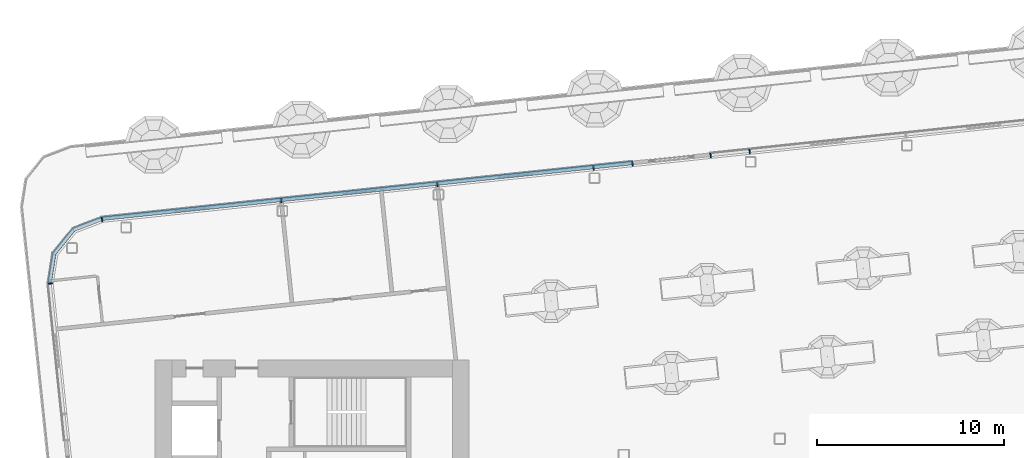
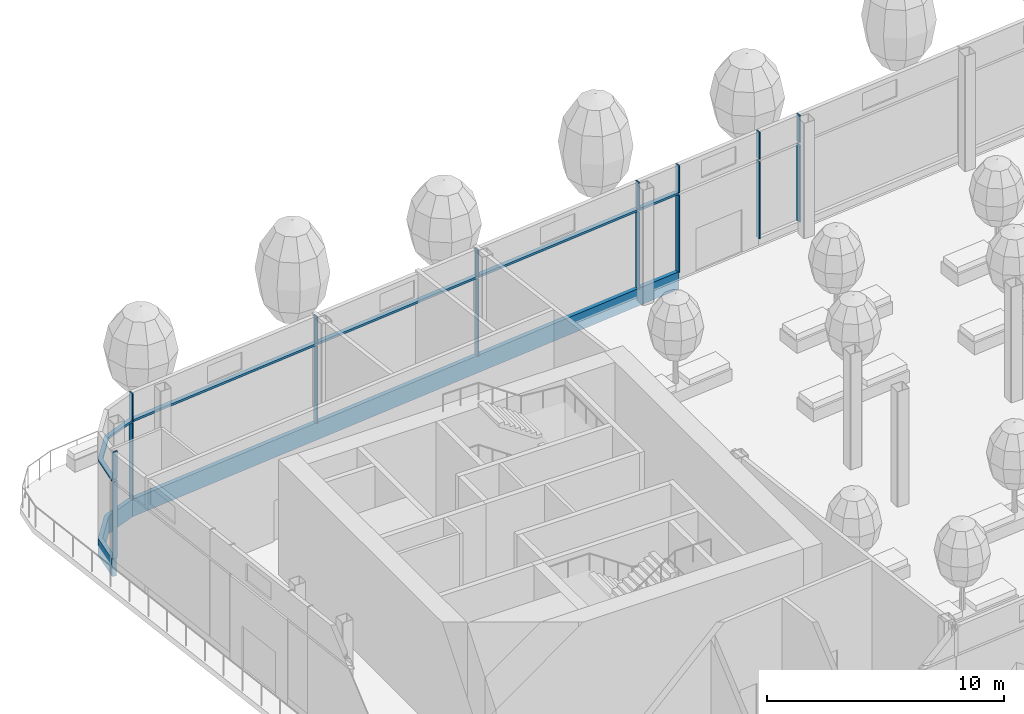
# One storey, part 7 of 42: 20 members, 3 elements without a shape of their own.
"""IFC4 building model written with IfcOpenShell, lengths in metres."""

from ifc_helpers import new_model, si_unit, direction, frame, origin, origin_2d, place, context, subcontext, project, spatial, polyline, rectangle, outline, extrude, material, layer, layer_set, material_profile, profile_set, type_object, element, aggregate, save


model = new_model("IFC4")

# Units and contexts
model_context = context("Model", 3, precision=1e-05, world=origin(), true_north=direction((0.0, 1.0)))
body_context = subcontext(model_context, "Body", "Model", "MODEL_VIEW")
ifc_project = project(units=[si_unit("LENGTHUNIT", "METRE"), si_unit("AREAUNIT", "SQUARE_METRE"), si_unit("VOLUMEUNIT", "CUBIC_METRE"), si_unit("PLANEANGLEUNIT", "RADIAN"), si_unit("MASSUNIT", "GRAM", prefix="KILO")], contexts=[model_context])

# Site, building, storey
site_placement = place(None, origin())
site = spatial("IfcSite", under=ifc_project, at=site_placement, CompositionType="ELEMENT")
building_placement = place(site_placement, origin())
building = spatial("IfcBuilding", under=site, at=building_placement, Name="Hakoniwa Tower and Hamabe Station Hall", CompositionType="ELEMENT")
storey_placement = place(building_placement, frame((0.0, 0.0, 232.60009765625)))
storey = spatial("IfcBuildingStorey", under=building, at=storey_placement, Name="L66", CompositionType="ELEMENT", Elevation=232.60009765625)

# Curtain wall, member
ifc_material_1 = material(Name="Dark low-e laminated glass", Category="glass")
ifc_layer = layer(ifc_material_1, 0.199951171875)
ifc_layer_set = layer_set([ifc_layer], Name="CW-2 SKY GARDEN")
curtain_wall_type = type_object("IfcCurtainWallType", Name="CW-2 SKY GARDEN", PredefinedType="NOTDEFINED", material=ifc_layer_set)
curtain_wall_1_placement = place(storey_placement, origin())
curtain_wall_1 = element("IfcCurtainWall", 1, at=curtain_wall_1_placement, inside=storey, type_object=curtain_wall_type, Name="CW-2 curtain wall", PredefinedType="NOTDEFINED")
ifc_material_2 = material(Name="Aluminium 6063-T5 black anodised", Category="aluminium")
ifc_material_profile_1 = material_profile(ifc_material_2, rectangle(XDim=0.199951171875, YDim=0.1201171875, at=origin_2d()), Name="CW MID TRANSOM 120X200")
ifc_profile_set_1 = profile_set([ifc_material_profile_1], Name="Aluminium 6063-T5 black anodised")
member_type_1 = type_object("IfcMemberType", Name="CW MID TRANSOM 120X200", PredefinedType="USERDEFINED", material=ifc_profile_set_1)
member_1_placement = place(storey_placement, frame((-8.033447265625, 18.950439453125, 4.389892578125), z_axis=(-0.994521922819, -0.104528202096, 0.0), x_axis=(0.104528202096, -0.994521922819, 0.0)))
member_1 = element("IfcMember", 2, at=member_1_placement, type_object=member_type_1, Name="CW-2 transom", ObjectType="TRANSOM", PredefinedType="USERDEFINED", context=body_context, shape_type="SweptSolid", body=[
    extrude(rectangle(XDim=0.199951171875, YDim=0.1201171875, at=origin_2d()), origin(), (0.0, 0.0, 1.0), 28.569580078125),
])

curtain_wall_2_placement = place(storey_placement, origin())
curtain_wall_2 = element("IfcCurtainWall", 3, at=curtain_wall_2_placement, inside=storey, type_object=curtain_wall_type, Name="CW-2 curtain wall", PredefinedType="NOTDEFINED")
member_2_placement = place(storey_placement, frame((0.0, 0.0, 4.329833984375)))
member_2 = element("IfcMember", 4, at=member_2_placement, type_object=member_type_1, Name="CW-2 transom", ObjectType="TRANSOM", PredefinedType="USERDEFINED", context=body_context, shape_type="SweptSolid", body=[
    extrude(outline(polyline([(-36.45703125, 16.0634765625), (-38.0185546875, 15.464111328125), (-39.09716796875, 14.13232421875), (-39.35888671875, 12.47998046875), (-39.161376953125, 12.44873046875), (-38.907958984375, 14.048095703125), (-37.89697265625, 15.296630859375), (-36.38525390625, 15.876708984375), (-36.45703125, 16.0634765625)])), origin(), (0.0, 0.0, 1.0), 0.1201171875),
])

# Member
ifc_material_3 = material(Name="Aluminium 6063-T5 black anodised", Category="aluminium")
ifc_material_profile_2 = material_profile(ifc_material_3, rectangle(XDim=0.199951171875, YDim=0.89990234375, at=origin_2d()), Name="CW SLAB-EDGE BAND 900X200")
ifc_profile_set_2 = profile_set([ifc_material_profile_2], Name="Aluminium 6063-T5 black anodised")
member_type_2 = type_object("IfcMemberType", Name="CW SLAB-EDGE BAND 900X200", PredefinedType="USERDEFINED", material=ifc_profile_set_2)
member_3_placement = place(storey_placement, frame((-8.033447265625, 18.950439453125, -0.10009765625), z_axis=(-0.994521922819, -0.104528202096, 0.0), x_axis=(0.104528202096, -0.994521922819, 0.0)))
member_3 = element("IfcMember", 5, at=member_3_placement, type_object=member_type_2, Name="CW-2 transom", ObjectType="TRANSOM", PredefinedType="USERDEFINED", context=body_context, shape_type="SweptSolid", body=[
    extrude(rectangle(XDim=0.199951171875, YDim=0.89990234375, at=origin_2d()), origin(), (0.0, 0.0, 1.0), 28.569580078125),
])

member_4_placement = place(storey_placement, frame((0.0, 0.0, -0.550048828125)))
member_4 = element("IfcMember", 6, at=member_4_placement, type_object=member_type_2, Name="CW-2 transom", ObjectType="TRANSOM", PredefinedType="USERDEFINED", context=body_context, shape_type="SweptSolid", body=[
    extrude(outline(polyline([(-36.45703125, 16.0634765625), (-38.0185546875, 15.464111328125), (-39.09716796875, 14.13232421875), (-39.35888671875, 12.47998046875), (-39.161376953125, 12.44873046875), (-38.907958984375, 14.048095703125), (-37.89697265625, 15.296630859375), (-36.38525390625, 15.876708984375), (-36.45703125, 16.0634765625)])), origin(), (0.0, 0.0, 1.0), 0.89990234375),
])

aggregate(curtain_wall_2, [member_4, member_2])

ifc_material_4 = material(Name="Aluminium 6063-T5 black anodised", Category="aluminium")
ifc_material_profile_3 = material_profile(ifc_material_4, rectangle(XDim=0.06005859375, YDim=0.239990234375, at=origin_2d()), Name="CW-2 MULLION 60X240")
ifc_profile_set_3 = profile_set([ifc_material_profile_3], Name="Aluminium 6063-T5 black anodised")
member_type_3 = type_object("IfcMemberType", Name="CW-2 MULLION 60X240", PredefinedType="MULLION", material=ifc_profile_set_3)
member_5_placement = place(storey_placement, frame((-1.79296875, 19.55810546875, 0.349853515625), z_axis=(0.0, 0.0, 1.0), x_axis=(-0.994521895272, -0.104528464188, 0.0)))
member_5 = element("IfcMember", 7, at=member_5_placement, type_object=member_type_3, Name="CW-2 mullion", PredefinedType="MULLION", context=body_context, shape_type="SweptSolid", body=[
    extrude(rectangle(XDim=0.06005859375, YDim=0.239990234375, at=origin_2d()), origin(), (0.0, 0.0, 1.0), 3.97998046875),
])

member_6_placement = place(storey_placement, frame((-1.79296875, 19.55810546875, 4.449951171875), z_axis=(0.0, 0.0, 1.0), x_axis=(-0.994521895272, -0.104528464188, 0.0)))
member_6 = element("IfcMember", 8, at=member_6_placement, type_object=member_type_3, Name="CW-2 mullion", PredefinedType="MULLION", context=body_context, shape_type="SweptSolid", body=[
    extrude(rectangle(XDim=0.06005859375, YDim=0.239990234375, at=origin_2d()), origin(), (0.0, 0.0, 1.0), 1.39990234375),
])

member_7_placement = place(storey_placement, frame((-3.88134765625, 19.338623046875, 0.349853515625), z_axis=(0.0, 0.0, 1.0), x_axis=(-0.994521895272, -0.104528464188, 0.0)))
member_7 = element("IfcMember", 9, at=member_7_placement, type_object=member_type_3, Name="CW-2 mullion", PredefinedType="MULLION", context=body_context, shape_type="SweptSolid", body=[
    extrude(rectangle(XDim=0.06005859375, YDim=0.239990234375, at=origin_2d()), origin(), (0.0, 0.0, 1.0), 3.97998046875),
])

member_8_placement = place(storey_placement, frame((-3.88134765625, 19.338623046875, 4.449951171875), z_axis=(0.0, 0.0, 1.0), x_axis=(-0.994521895272, -0.104528464188, 0.0)))
member_8 = element("IfcMember", 10, at=member_8_placement, type_object=member_type_3, Name="CW-2 mullion", PredefinedType="MULLION", context=body_context, shape_type="SweptSolid", body=[
    extrude(rectangle(XDim=0.06005859375, YDim=0.239990234375, at=origin_2d()), origin(), (0.0, 0.0, 1.0), 1.39990234375),
])

member_9_placement = place(storey_placement, frame((-8.058349609375, 18.8994140625, 0.349853515625), z_axis=(0.0, 0.0, 1.0), x_axis=(-0.994521895272, -0.104528464188, 0.0)))
member_9 = element("IfcMember", 11, at=member_9_placement, type_object=member_type_3, Name="CW-2 mullion", PredefinedType="MULLION", context=body_context, shape_type="SweptSolid", body=[
    extrude(rectangle(XDim=0.06005859375, YDim=0.239990234375, at=origin_2d()), origin(), (0.0, 0.0, 1.0), 3.97998046875),
])

member_10_placement = place(storey_placement, frame((-8.058349609375, 18.8994140625, 4.449951171875), z_axis=(0.0, 0.0, 1.0), x_axis=(-0.994521895272, -0.104528464188, 0.0)))
member_10 = element("IfcMember", 12, at=member_10_placement, type_object=member_type_3, Name="CW-2 mullion", PredefinedType="MULLION", context=body_context, shape_type="SweptSolid", body=[
    extrude(rectangle(XDim=0.06005859375, YDim=0.239990234375, at=origin_2d()), origin(), (0.0, 0.0, 1.0), 1.39990234375),
])

member_11_placement = place(storey_placement, frame((-10.14697265625, 18.679931640625, 0.349853515625), z_axis=(0.0, 0.0, 1.0), x_axis=(-0.994521895272, -0.104528464188, 0.0)))
member_11 = element("IfcMember", 13, at=member_11_placement, type_object=member_type_3, Name="CW-2 mullion", PredefinedType="MULLION", context=body_context, shape_type="SweptSolid", body=[
    extrude(rectangle(XDim=0.06005859375, YDim=0.239990234375, at=origin_2d()), origin(), (0.0, 0.0, 1.0), 3.97998046875),
])

member_12_placement = place(storey_placement, frame((-10.14697265625, 18.679931640625, 4.449951171875), z_axis=(0.0, 0.0, 1.0), x_axis=(-0.994521895272, -0.104528464188, 0.0)))
member_12 = element("IfcMember", 14, at=member_12_placement, type_object=member_type_3, Name="CW-2 mullion", PredefinedType="MULLION", context=body_context, shape_type="SweptSolid", body=[
    extrude(rectangle(XDim=0.06005859375, YDim=0.239990234375, at=origin_2d()), origin(), (0.0, 0.0, 1.0), 1.39990234375),
])

member_13_placement = place(storey_placement, frame((-18.500732421875, 17.802001953125, 0.349853515625), z_axis=(0.0, 0.0, 1.0), x_axis=(-0.994521895272, -0.104528464188, 0.0)))
member_13 = element("IfcMember", 15, at=member_13_placement, type_object=member_type_3, Name="CW-2 mullion", PredefinedType="MULLION", context=body_context, shape_type="SweptSolid", body=[
    extrude(rectangle(XDim=0.06005859375, YDim=0.239990234375, at=origin_2d()), origin(), (0.0, 0.0, 1.0), 3.97998046875),
])

member_14_placement = place(storey_placement, frame((-18.500732421875, 17.802001953125, 4.449951171875), z_axis=(0.0, 0.0, 1.0), x_axis=(-0.994521895272, -0.104528464188, 0.0)))
member_14 = element("IfcMember", 16, at=member_14_placement, type_object=member_type_3, Name="CW-2 mullion", PredefinedType="MULLION", context=body_context, shape_type="SweptSolid", body=[
    extrude(rectangle(XDim=0.06005859375, YDim=0.239990234375, at=origin_2d()), origin(), (0.0, 0.0, 1.0), 1.39990234375),
])

member_15_placement = place(storey_placement, frame((-26.854736328125, 16.923828125, 0.349853515625), z_axis=(0.0, 0.0, 1.0), x_axis=(-0.994521895272, -0.104528464188, 0.0)))
member_15 = element("IfcMember", 17, at=member_15_placement, type_object=member_type_3, Name="CW-2 mullion", PredefinedType="MULLION", context=body_context, shape_type="SweptSolid", body=[
    extrude(rectangle(XDim=0.06005859375, YDim=0.239990234375, at=origin_2d()), origin(), (0.0, 0.0, 1.0), 3.97998046875),
])

member_16_placement = place(storey_placement, frame((-26.854736328125, 16.923828125, 4.449951171875), z_axis=(0.0, 0.0, 1.0), x_axis=(-0.994521895272, -0.104528464188, 0.0)))
member_16 = element("IfcMember", 18, at=member_16_placement, type_object=member_type_3, Name="CW-2 mullion", PredefinedType="MULLION", context=body_context, shape_type="SweptSolid", body=[
    extrude(rectangle(XDim=0.06005859375, YDim=0.239990234375, at=origin_2d()), origin(), (0.0, 0.0, 1.0), 1.39990234375),
])

member_17_placement = place(storey_placement, frame((-36.44140625, 15.916259765625, 0.349853515625), z_axis=(0.0, 0.0, 1.0), x_axis=(-0.994521895272, -0.104528464188, 0.0)))
member_17 = element("IfcMember", 19, at=member_17_placement, type_object=member_type_3, Name="CW-2 mullion", PredefinedType="MULLION", context=body_context, shape_type="SweptSolid", body=[
    extrude(rectangle(XDim=0.06005859375, YDim=0.239990234375, at=origin_2d()), origin(), (0.0, 0.0, 1.0), 3.97998046875),
])

member_18_placement = place(storey_placement, frame((-36.44140625, 15.916259765625, 4.449951171875), z_axis=(0.0, 0.0, 1.0), x_axis=(-0.994521895272, -0.104528464188, 0.0)))
member_18 = element("IfcMember", 20, at=member_18_placement, type_object=member_type_3, Name="CW-2 mullion", PredefinedType="MULLION", context=body_context, shape_type="SweptSolid", body=[
    extrude(rectangle(XDim=0.06005859375, YDim=0.239990234375, at=origin_2d()), origin(), (0.0, 0.0, 1.0), 1.39990234375),
])

aggregate(curtain_wall_1, [member_5, member_6, member_7, member_8, member_9, member_10, member_11, member_12, member_13, member_14, member_15, member_16, member_17, member_18, member_3, member_1])

# Curtain wall, members
curtain_wall_3_placement = place(storey_placement, origin())
curtain_wall_3 = element("IfcCurtainWall", 21, at=curtain_wall_3_placement, inside=storey, type_object=curtain_wall_type, Name="CW-2 curtain wall", PredefinedType="NOTDEFINED")
member_19_placement = place(storey_placement, frame((-39.211669921875, 12.49560546875, 0.349853515625), z_axis=(0.0, 0.0, 1.0), x_axis=(0.104528468631, -0.994521894805, 0.0)))
member_19 = element("IfcMember", 22, at=member_19_placement, type_object=member_type_3, Name="CW-2 mullion", PredefinedType="MULLION", context=body_context, shape_type="SweptSolid", body=[
    extrude(rectangle(XDim=0.06005859375, YDim=0.239990234375, at=origin_2d()), origin(), (0.0, 0.0, 1.0), 3.97998046875),
])
member_20_placement = place(storey_placement, frame((-39.211669921875, 12.49560546875, 4.449951171875), z_axis=(0.0, 0.0, 1.0), x_axis=(0.104528468631, -0.994521894805, 0.0)))
member_20 = element("IfcMember", 23, at=member_20_placement, type_object=member_type_3, Name="CW-2 mullion", PredefinedType="MULLION", context=body_context, shape_type="SweptSolid", body=[
    extrude(rectangle(XDim=0.06005859375, YDim=0.239990234375, at=origin_2d()), origin(), (0.0, 0.0, 1.0), 1.39990234375),
])
aggregate(curtain_wall_3, [member_19, member_20])

save(model, "model.ifc")
